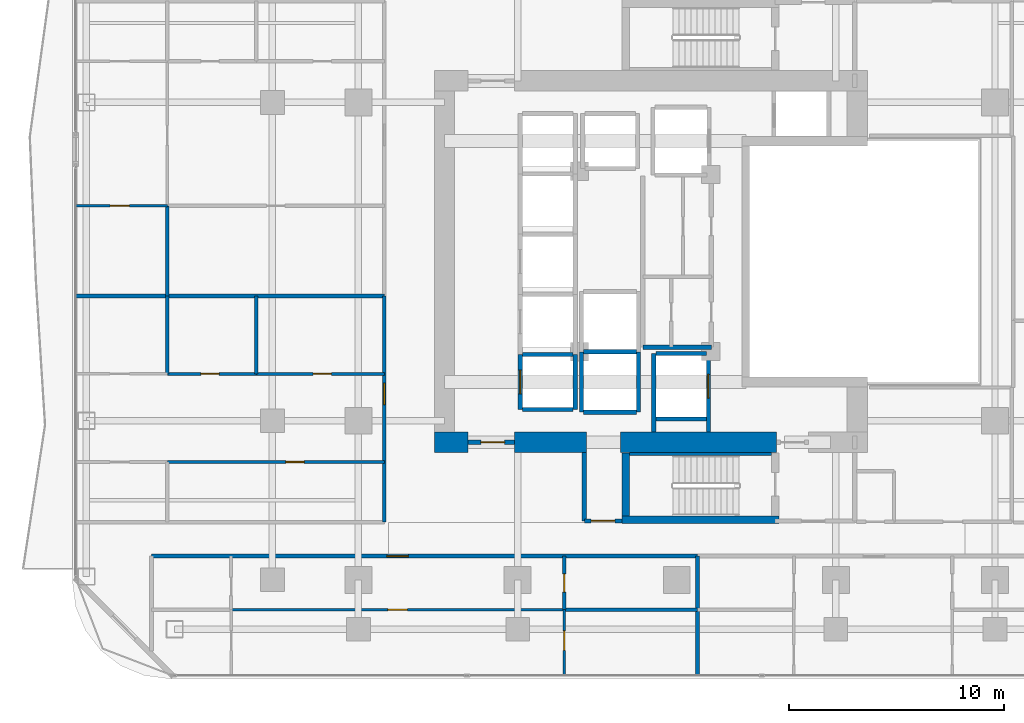
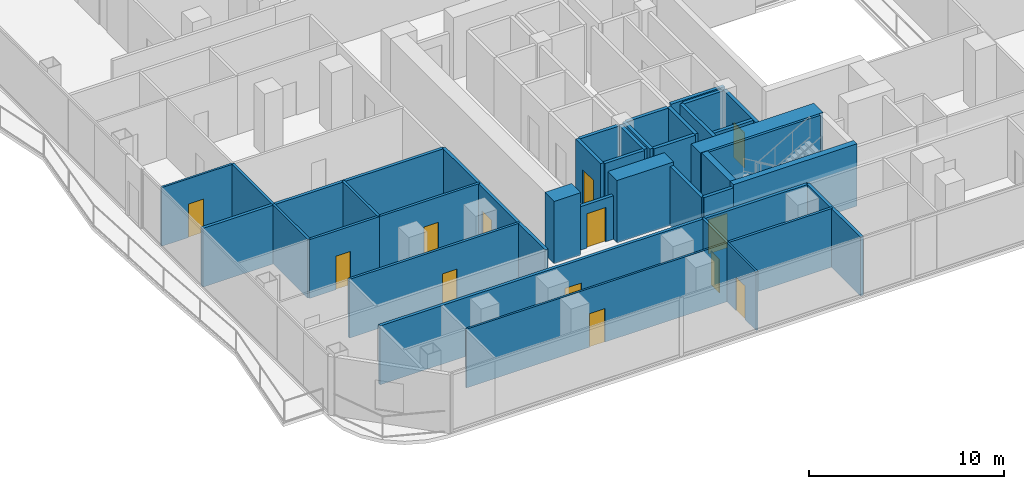
# One storey, part 19 of 28: 37 walls, 13 doors, 13 openings.
"""IFC4 building model written with IfcOpenShell, lengths in metres."""

import ifcopenshell
import ifcopenshell.guid

model = None  # the IFC model being written
_history = None  # IfcOwnerHistory: only IFC2X3 demands one
_inside = {}  # id of a spatial element -> (the spatial element, [elements in it])
_under = {}  # id of a project, library or spatial element -> (it, [spatial elements below it])
_declared = {}  # id of a project -> (the project, [libraries it declares])
_typed = {}  # id of a type object -> (the type object, [elements of that type])
_made_of = {}  # id of a material, layer set ... -> (it, [elements and type objects made of it])


def new_model(schema):
    """Start an empty IFC model of exactly this schema.

    Asked for "IFC4X3", IfcOpenShell would pick the latest addendum, in which some entities
    have other attributes; the version numbers below select the first issue.
    IFC2X3 requires an IfcOwnerHistory on every rooted entity: one is made here for all.
    """
    global model, _history
    if schema == "IFC4X3":
        model = ifcopenshell.file(schema_version=(4, 3, 0, 0))
    else:
        model = ifcopenshell.file(schema=schema)
    _inside.clear()
    _under.clear()
    _declared.clear()
    _typed.clear()
    _made_of.clear()
    _history = None
    if model.schema == "IFC2X3":
        org = make("IfcOrganization", Name="unknown")
        user = make(
            "IfcPersonAndOrganization",
            ThePerson=make("IfcPerson", FamilyName="unknown"),
            TheOrganization=org,
        )
        app = make(
            "IfcApplication",
            ApplicationDeveloper=org,
            Version="unknown",
            ApplicationFullName="unknown",
            ApplicationIdentifier="unknown",
        )
        _history = make(
            "IfcOwnerHistory",
            OwningUser=user,
            OwningApplication=app,
            ChangeAction="ADDED",
            CreationDate=0,
        )
    return model


def make(cls, **values):
    """One entity of the class cls with the attributes given. An attribute that is None is left unset."""
    return model.create_entity(
        cls, **{name: value for name, value in values.items() if value is not None}
    )


def rooted(cls, **values):
    """An entity with a GlobalId (a new one), such as an element, a storey or a relation."""
    return make(cls, GlobalId=ifcopenshell.guid.new(), OwnerHistory=_history, **values)


def si_unit(unit_type, name, prefix=None):
    """IfcSIUnit, for example si_unit("LENGTHUNIT", "METRE", prefix="MILLI")."""
    return make("IfcSIUnit", UnitType=unit_type, Prefix=prefix, Name=name)


def assignment(units):
    """IfcUnitAssignment: the units of a project."""
    return None if units is None else make("IfcUnitAssignment", Units=units)


def point(xyz):
    """IfcCartesianPoint."""
    return None if xyz is None else make("IfcCartesianPoint", Coordinates=xyz)


def direction(xyz):
    """IfcDirection."""
    return None if xyz is None else make("IfcDirection", DirectionRatios=xyz)


def frame(location, z_axis=None, x_axis=None):
    """IfcAxis2Placement3D, a coordinate frame: its origin and axes. An axis left out is left unset."""
    return make(
        "IfcAxis2Placement3D",
        Location=point(location),
        Axis=direction(z_axis),
        RefDirection=direction(x_axis),
    )


def frame_2d(location, x_axis=None):
    """IfcAxis2Placement2D, a coordinate frame in the plane: its origin and x axis."""
    return make(
        "IfcAxis2Placement2D", Location=point(location), RefDirection=direction(x_axis)
    )


def origin():
    """The frame at (0, 0, 0) with its axes left unset."""
    return frame((0.0, 0.0, 0.0))


def place(relative_to, where):
    """IfcLocalPlacement: puts the frame where relative to a parent placement (None: the world)."""
    return make(
        "IfcLocalPlacement", PlacementRelTo=relative_to, RelativePlacement=where
    )


def context(
    kind, dimensions, precision=None, world=None, true_north=None, identifier=None
):
    """IfcGeometricRepresentationContext, for example the 3D "Model" context."""
    return make(
        "IfcGeometricRepresentationContext",
        ContextIdentifier=identifier,
        ContextType=kind,
        CoordinateSpaceDimension=dimensions,
        Precision=precision,
        WorldCoordinateSystem=world,
        TrueNorth=true_north,
    )


def subcontext(parent, identifier, kind, view, scale=None):
    """IfcGeometricRepresentationSubContext, for example "Body" below "Model"."""
    return make(
        "IfcGeometricRepresentationSubContext",
        ContextIdentifier=identifier,
        ContextType=kind,
        ParentContext=parent,
        TargetScale=scale,
        TargetView=view,
    )


def project(units=None, contexts=None):
    """IfcProject with its units and contexts."""
    return rooted(
        "IfcProject",
        Name="project",
        RepresentationContexts=contexts,
        UnitsInContext=assignment(units),
    )


def spatial(cls, under=None, at=None, **own):
    """A site, building, storey or space (cls), placed at a placement, below another one or the project."""
    s = rooted(cls, ObjectPlacement=at, **own)
    if under is not None:
        _under.setdefault(under.id(), (under, []))[1].append(s)
    return s


def profile(cls, at=None, kind="AREA", **sizes):
    """A parametric profile (cls). Its sizes go by their IFC names, for example OverallWidth=200.0."""
    return make(cls, ProfileType=kind, Position=at, **sizes)


def rectangle(**sizes):
    """IfcRectangleProfileDef."""
    return profile("IfcRectangleProfileDef", **sizes)


def extrude(swept, where, along, depth):
    """IfcExtrudedAreaSolid: the profile swept, set in the frame where, extruded along a direction by depth."""
    return make(
        "IfcExtrudedAreaSolid",
        SweptArea=swept,
        Position=where,
        ExtrudedDirection=direction(along),
        Depth=depth,
    )


def shape(context_of_items, identifier, shape_type, items):
    """IfcShapeRepresentation: the items that make up one representation, for example the "Body"."""
    return make(
        "IfcShapeRepresentation",
        ContextOfItems=context_of_items,
        RepresentationIdentifier=identifier,
        RepresentationType=shape_type,
        Items=items,
    )


def material(Name=None, Category=None):
    """IfcMaterial."""
    return make("IfcMaterial", Name=Name, Category=Category)


def layer(
    of_material, thickness, ventilated=None, Name=None, Category=None, Priority=None
):
    """IfcMaterialLayer: one layer of a wall or slab, of a material (None: an air gap)."""
    return make(
        "IfcMaterialLayer",
        Material=of_material,
        LayerThickness=thickness,
        IsVentilated=ventilated,
        Name=Name,
        Category=Category,
        Priority=Priority,
    )


def layer_set(layers, Name=None):
    """IfcMaterialLayerSet."""
    return make("IfcMaterialLayerSet", MaterialLayers=layers, LayerSetName=Name)


def made_of(thing, what):
    """Note that an element or type object is made of a material, layer set ...; save() writes the relation."""
    if what is not None:
        _made_of.setdefault(what.id(), (what, []))[1].append(thing)
    return thing


def type_object(cls, material=None, **own):
    """A type object (cls), such as IfcWallType, which elements share."""
    return made_of(rooted(cls, **own), material)


def element(
    cls,
    number,
    at=None,
    inside=None,
    cuts=None,
    type_object=None,
    material=None,
    context=None,
    identifier="Body",
    shape_type=None,
    held_by="IfcProductDefinitionShape",
    body=None,
    shapes=None,
    **own,
):
    """One element of the class cls, such as IfcWall. Its Tag is "e" and its number.

    at: its placement. inside: the storey or other place that contains it. cuts: it is an
    opening in that element (IfcRelVoidsElement). A single representation is given by context,
    identifier, shape_type and body (its items); several are given by shapes. held_by: the class
    of the entity that holds the representations. save() writes the other relations.
    """
    e = rooted(cls, Tag="e%d" % number, ObjectPlacement=at, **own)
    if body is not None:
        shapes = [shape(context, identifier, shape_type, body)]
    if shapes is not None:
        e.Representation = make(held_by, Representations=shapes)
    if inside is not None:
        _inside.setdefault(inside.id(), (inside, []))[1].append(e)
    if cuts is not None:
        rooted(
            "IfcRelVoidsElement", RelatingBuildingElement=cuts, RelatedOpeningElement=e
        )
    if type_object is not None:
        _typed.setdefault(type_object.id(), (type_object, []))[1].append(e)
    return made_of(e, material)


def fill(opening, filler):
    """IfcRelFillsElement: the door or window that sits in an opening."""
    return rooted(
        "IfcRelFillsElement",
        RelatingOpeningElement=opening,
        RelatedBuildingElement=filler,
    )


def aggregate(whole, parts):
    """IfcRelAggregates: a whole, such as a stair, and the parts it consists of."""
    return rooted("IfcRelAggregates", RelatingObject=whole, RelatedObjects=parts)


def save(model, path):
    """Write the relations noted so far, then the file.

    IfcRelAggregates (storeys below a building ...), IfcRelContainedInSpatialStructure (elements
    in a storey), IfcRelDefinesByType, IfcRelAssociatesMaterial and IfcRelDeclares: one each for
    every whole, place, type object, material and project.
    """
    for whole, parts in _under.values():
        aggregate(whole, parts)
    for where, things in _inside.values():
        rooted(
            "IfcRelContainedInSpatialStructure",
            RelatedElements=things,
            RelatingStructure=where,
        )
    for kind, things in _typed.values():
        rooted("IfcRelDefinesByType", RelatedObjects=things, RelatingType=kind)
    for what, things in _made_of.values():
        rooted("IfcRelAssociatesMaterial", RelatedObjects=things, RelatingMaterial=what)
    for by, libraries in _declared.values():
        rooted("IfcRelDeclares", RelatingContext=by, RelatedDefinitions=libraries)
    model.write(path)


model = new_model("IFC4")

# Units and contexts
model_context = context("Model", 3, precision=1e-05, world=origin(), true_north=direction((0.0, 1.0)))
body_context = subcontext(model_context, "Body", "Model", "MODEL_VIEW")
ifc_project = project(units=[si_unit("LENGTHUNIT", "METRE"), si_unit("AREAUNIT", "SQUARE_METRE"), si_unit("VOLUMEUNIT", "CUBIC_METRE"), si_unit("PLANEANGLEUNIT", "RADIAN"), si_unit("MASSUNIT", "GRAM", prefix="KILO")], contexts=[model_context])

# Site, building, storey
site_placement = place(None, origin())
site = spatial("IfcSite", under=ifc_project, at=site_placement, CompositionType="ELEMENT")
building_placement = place(site_placement, origin())
building = spatial("IfcBuilding", under=site, at=building_placement, Name="Khorvyn Point Tower", CompositionType="ELEMENT")
storey_placement = place(building_placement, frame((0.0, 0.0, 100.800048828125)))
storey = spatial("IfcBuildingStorey", under=building, at=storey_placement, Name="L25", CompositionType="ELEMENT", Elevation=100.800048828125)

# Wall, opening, door
ifc_material_1 = material(Name="Double acoustic gypsum on twin steel stud", Category="steel")
ifc_layer_1 = layer(ifc_material_1, 0.179931640625)
ifc_layer_set_1 = layer_set([ifc_layer_1], Name="Acoustic Double-Stud Apartment Demising Wall 180")
wall_type_1 = type_object("IfcWallType", Name="Acoustic Double-Stud Apartment Demising Wall 180", PredefinedType="PARTITIONING", material=ifc_layer_set_1)
wall_1_placement = place(storey_placement, frame((-24.419921875, -13.699951171875, 0.0), z_axis=(0.0, 0.0, 1.0), x_axis=(1.0, 0.0, 0.0)))
wall_1 = element("IfcWall", 1, at=wall_1_placement, inside=storey, type_object=wall_type_1, Name="Wall", PredefinedType="PARTITIONING", context=body_context, shape_type="SweptSolid", body=[
    extrude(rectangle(XDim=25.39404296875, YDim=0.179931640625, at=frame_2d((12.697021484375, 0.0))), origin(), (0.0, 0.0, 1.0), 3.679931640625),
])
opening_1_placement = place(wall_1_placement, frame((10.939453125, 0.0, 0.0)))
opening_1 = element("IfcOpeningElement", 2, at=opening_1_placement, cuts=wall_1, Name="Opening ID-AP60", PredefinedType="OPENING", context=body_context, shape_type="SweptSolid", body=[
    extrude(rectangle(XDim=1.0, YDim=2.199951171875, at=frame_2d((0.5, 1.10009765625))), frame((0.0, 0.099853515625, 0.0), z_axis=(0.0, -1.0, 0.0), x_axis=(1.0, 0.0, 0.0)), (0.0, 0.0, 1.0), 0.199951171875),
])
ifc_material_2 = material(Name="Engineered hardwood fire-rated leaf", Category="wood")
door_type_1 = type_object("IfcDoorType", Name="Acoustic Solid-Core Timber Apartment Entrance Door 1000x2200", OperationType="NOTDEFINED", PredefinedType="DOOR", material=ifc_material_2)
door_1_placement = place(opening_1_placement, origin())
door_1 = element("IfcDoor", 3, at=door_1_placement, inside=storey, type_object=door_type_1, Name="Door", OperationType="SINGLE_SWING_RIGHT", OverallHeight=2.199951171875, OverallWidth=1.0, PredefinedType="DOOR", context=body_context, shape_type="SweptSolid", body=[
    extrude(rectangle(XDim=1.0, YDim=2.199951171875, at=frame_2d((0.5, 1.10009765625))), frame((0.0, 0.02490234375, 0.0), z_axis=(0.0, -1.0, 0.0), x_axis=(1.0, 0.0, 0.0)), (0.0, 0.0, 1.0), 0.050048828125),
])
fill(opening_1, door_1)

wall_2_placement = place(storey_placement, frame((-13.60009765625, -12.1201171875, 0.0), z_axis=(0.0, 0.0, 1.0), x_axis=(0.0, 1.0, 0.0)))
wall_2 = element("IfcWall", 4, at=wall_2_placement, inside=storey, type_object=wall_type_1, Name="Wall", PredefinedType="PARTITIONING", context=body_context, shape_type="SweptSolid", body=[
    extrude(rectangle(XDim=10.52001953125, YDim=0.179931640625, at=frame_2d((5.260009765625, 0.0))), origin(), (0.0, 0.0, 1.0), 3.679931640625),
])
opening_2_placement = place(wall_2_placement, frame((5.4677734375, 0.0, 0.0)))
opening_2 = element("IfcOpeningElement", 5, at=opening_2_placement, cuts=wall_2, Name="Opening ID-AP60", PredefinedType="OPENING", context=body_context, shape_type="SweptSolid", body=[
    extrude(rectangle(XDim=1.0, YDim=2.199951171875, at=frame_2d((0.5, 1.10009765625))), frame((0.0, 0.099853515625, 0.0), z_axis=(0.0, -1.0, 0.0), x_axis=(1.0, 0.0, 0.0)), (0.0, 0.0, 1.0), 0.199951171875),
])
door_2_placement = place(opening_2_placement, origin())
door_2 = element("IfcDoor", 6, at=door_2_placement, inside=storey, type_object=door_type_1, Name="Door", OperationType="SINGLE_SWING_LEFT", OverallHeight=2.199951171875, OverallWidth=1.0, PredefinedType="DOOR", context=body_context, shape_type="SweptSolid", body=[
    extrude(rectangle(XDim=1.0, YDim=2.199951171875, at=frame_2d((0.5, 1.10009765625))), frame((0.0, 0.02490234375, 0.0), z_axis=(0.0, -1.0, 0.0), x_axis=(1.0, 0.0, 0.0)), (0.0, 0.0, 1.0), 0.050048828125),
])
fill(opening_2, door_2)

# Walls
wall_3_placement = place(storey_placement, frame((0.97412109375, -19.22998046875, 0.0), z_axis=(0.0, 0.0, 1.0), x_axis=(0.0, 1.0, 0.0)))
element("IfcWall", 7, at=wall_3_placement, inside=storey, type_object=wall_type_1, Name="Wall", PredefinedType="PARTITIONING", context=body_context, shape_type="SweptSolid", body=[
    extrude(rectangle(XDim=5.530029296875, YDim=0.179931640625, at=frame_2d((2.76513671875, 0.0))), origin(), (0.0, 0.0, 1.0), 3.679931640625),
])
wall_4_placement = place(storey_placement, frame((-27.929931640625, -1.60009765625, 0.0), z_axis=(0.0, 0.0, 1.0), x_axis=(1.0, 0.0, 0.0)))
element("IfcWall", 8, at=wall_4_placement, inside=storey, type_object=wall_type_1, Name="Wall", PredefinedType="PARTITIONING", context=body_context, shape_type="SweptSolid", body=[
    extrude(rectangle(XDim=14.329833984375, YDim=0.179931640625, at=frame_2d((7.1650390625, 0.0))), origin(), (0.0, 0.0, 1.0), 3.679931640625),
])

# Wall, opening, door
ifc_material_3 = material(Name="Concrete C40/50", Category="concrete")
ifc_layer_2 = layer(ifc_material_3, 0.199951171875)
ifc_layer_set_2 = layer_set([ifc_layer_2], Name="Concrete C40/50 Fire-Lobby Compartment Wall 200")
wall_type_2 = type_object("IfcWallType", Name="Concrete C40/50 Fire-Lobby Compartment Wall 200", PredefinedType="SOLIDWALL", material=ifc_layer_set_2)
wall_5_placement = place(storey_placement, frame((-9.699951171875, -8.39990234375, 0.0), z_axis=(0.0, 0.0, 1.0), x_axis=(1.0, 0.0, 0.0)))
wall_5 = element("IfcWall", 9, at=wall_5_placement, inside=storey, type_object=wall_type_2, Name="Wall", PredefinedType="SOLIDWALL", context=body_context, shape_type="SweptSolid", body=[
    extrude(rectangle(XDim=2.14990234375, YDim=0.199951171875, at=frame_2d((1.074951171875, 0.0))), origin(), (0.0, 0.0, 1.0), 2.719970703125),
])
opening_3_placement = place(wall_5_placement, frame((0.597900390625, 0.0, 0.0)))
opening_3 = element("IfcOpeningElement", 10, at=opening_3_placement, cuts=wall_5, Name="Opening ID-FL90", PredefinedType="OPENING", context=body_context, shape_type="SweptSolid", body=[
    extrude(rectangle(XDim=1.10009765625, YDim=2.14990234375, at=frame_2d((0.550048828125, 1.074951171875))), frame((0.0, 0.10986328125, 0.0), z_axis=(0.0, -1.0, 0.0), x_axis=(1.0, 0.0, 0.0)), (0.0, 0.0, 1.0), 0.219970703125),
])
ifc_material_4 = material(Name="Galvanised powder-coated steel", Category="steel")
door_type_2 = type_object("IfcDoorType", Name="Fire-Rated Steel Lobby and Stair Door 1100x2150", OperationType="NOTDEFINED", PredefinedType="DOOR", material=ifc_material_4)
door_3_placement = place(opening_3_placement, origin())
door_3 = element("IfcDoor", 11, at=door_3_placement, inside=storey, type_object=door_type_2, Name="Door", OperationType="SINGLE_SWING_RIGHT", OverallHeight=2.14990234375, OverallWidth=1.10009765625, PredefinedType="DOOR", context=body_context, shape_type="SweptSolid", body=[
    extrude(rectangle(XDim=1.10009765625, YDim=2.14990234375, at=frame_2d((0.550048828125, 1.074951171875))), frame((0.0, 0.02490234375, 0.0), z_axis=(0.0, -1.0, 0.0), x_axis=(1.0, 0.0, 0.0)), (0.0, 0.0, 1.0), 0.050048828125),
])
fill(opening_3, door_3)

wall_6_placement = place(storey_placement, frame((-4.300048828125, -12.06005859375, 0.0), z_axis=(0.0, 0.0, 1.0), x_axis=(1.0, 0.0, 0.0)))
wall_6 = element("IfcWall", 12, at=wall_6_placement, inside=storey, type_object=wall_type_2, Name="Wall", PredefinedType="SOLIDWALL", context=body_context, shape_type="SweptSolid", body=[
    extrude(rectangle(XDim=1.75, YDim=0.199951171875, at=frame_2d((0.875, 0.0))), origin(), (0.0, 0.0, 1.0), 3.679931640625),
])
opening_4_placement = place(wall_6_placement, frame((0.324951171875, 0.0, 0.0)))
opening_4 = element("IfcOpeningElement", 13, at=opening_4_placement, cuts=wall_6, Name="Opening ID-FL90", PredefinedType="OPENING", context=body_context, shape_type="SweptSolid", body=[
    extrude(rectangle(XDim=1.10009765625, YDim=2.14990234375, at=frame_2d((0.550048828125, 1.074951171875))), frame((0.0, 0.10986328125, 0.0), z_axis=(0.0, -1.0, 0.0), x_axis=(1.0, 0.0, 0.0)), (0.0, 0.0, 1.0), 0.219970703125),
])
door_4_placement = place(opening_4_placement, origin())
door_4 = element("IfcDoor", 14, at=door_4_placement, inside=storey, type_object=door_type_2, Name="Door", OperationType="SINGLE_SWING_RIGHT", OverallHeight=2.14990234375, OverallWidth=1.10009765625, PredefinedType="DOOR", context=body_context, shape_type="SweptSolid", body=[
    extrude(rectangle(XDim=1.10009765625, YDim=2.14990234375, at=frame_2d((0.550048828125, 1.074951171875))), frame((0.0, 0.02490234375, 0.0), z_axis=(0.0, -1.0, 0.0), x_axis=(1.0, 0.0, 0.0)), (0.0, 0.0, 1.0), 0.050048828125),
])
fill(opening_4, door_4)

# Walls
wall_7_placement = place(storey_placement, frame((-4.300048828125, -12.06005859375, 0.0), z_axis=(0.0, 0.0, 1.0), x_axis=(0.0, 1.0, 0.0)))
element("IfcWall", 15, at=wall_7_placement, inside=storey, type_object=wall_type_2, Name="Wall", PredefinedType="SOLIDWALL", context=body_context, shape_type="SweptSolid", body=[
    extrude(rectangle(XDim=3.18505859375, YDim=0.199951171875, at=frame_2d((1.592529296875, 0.0))), origin(), (0.0, 0.0, 1.0), 3.679931640625),
])
wall_8_placement = place(storey_placement, frame((-1.580078125, -3.97998046875, 0.0), z_axis=(0.0, 0.0, 1.0), x_axis=(1.0, 0.0, 0.0)))
element("IfcWall", 16, at=wall_8_placement, inside=storey, type_object=wall_type_2, Name="Wall", PredefinedType="SOLIDWALL", context=body_context, shape_type="SweptSolid", body=[
    extrude(rectangle(XDim=3.190185546875, YDim=0.199951171875, at=frame_2d((1.59521484375, 0.0))), origin(), (0.0, 0.0, 1.0), 3.679931640625),
])
ifc_layer_3 = layer(ifc_material_3, 0.25)
ifc_layer_set_3 = layer_set([ifc_layer_3], Name="Concrete C40/50 Stair Inner Cheek Structural Wall 250")
wall_type_3 = type_object("IfcWallType", Name="Concrete C40/50 Stair Inner Cheek Structural Wall 250", PredefinedType="SHEAR", material=ifc_layer_set_3)
wall_9_placement = place(storey_placement, frame((-2.199951171875, -8.949951171875, 0.0), z_axis=(0.0, 0.0, 1.0), x_axis=(1.0, 0.0, 0.0)))
element("IfcWall", 17, at=wall_9_placement, inside=storey, type_object=wall_type_3, Name="Wall", PredefinedType="SHEAR", context=body_context, shape_type="SweptSolid", body=[
    extrude(rectangle(XDim=6.599853515625, YDim=0.14990234375, at=frame_2d((3.2998046875, 0.0))), origin(), (0.0, 0.0, 1.0), 3.89990234375),
])
ifc_layer_4 = layer(ifc_material_3, 0.35009765625)
ifc_layer_set_4 = layer_set([ifc_layer_4], Name="Concrete C40/50 Stair Shaft Structural Wall 350")
wall_type_4 = type_object("IfcWallType", Name="Concrete C40/50 Stair Shaft Structural Wall 350", PredefinedType="SHEAR", material=ifc_layer_set_4)
wall_10_placement = place(storey_placement, frame((-2.554931640625, -12.0, 0.0), z_axis=(0.0, 0.0, 1.0), x_axis=(1.0, 0.0, 0.0)))
element("IfcWall", 18, at=wall_10_placement, inside=storey, type_object=wall_type_4, Name="L25 ST-01 South Shaft Wall", PredefinedType="SHEAR", context=body_context, shape_type="SweptSolid", body=[
    extrude(rectangle(XDim=7.309814453125, YDim=0.35009765625, at=frame_2d((3.65478515625, 0.0))), origin(), (0.0, 0.0, 1.0), 3.89990234375),
])
wall_11_placement = place(storey_placement, frame((-2.3798828125, -11.824951171875, 0.0), z_axis=(0.0, 0.0, 1.0), x_axis=(0.0, 1.0, 0.0)))
element("IfcWall", 19, at=wall_11_placement, inside=storey, type_object=wall_type_4, Name="L25 ST-01 West Shaft Wall", PredefinedType="SHEAR", context=body_context, shape_type="SweptSolid", body=[
    extrude(rectangle(XDim=2.925048828125, YDim=0.35009765625, at=frame_2d((1.46240234375, 0.0))), origin(), (0.0, 0.0, 1.0), 3.89990234375),
])

# Wall, opening, door
ifc_layer_5 = layer(ifc_material_3, 0.199951171875)
ifc_layer_set_5 = layer_set([ifc_layer_5], Name="Concrete C40/50 Structural Hoistway and Stair Shaft Wall 200")
wall_type_5 = type_object("IfcWallType", Name="Concrete C40/50 Structural Hoistway and Stair Shaft Wall 200", PredefinedType="SHEAR", material=ifc_layer_set_5)
wall_12_placement = place(storey_placement, frame((-7.27490234375, -6.875, 0.0), z_axis=(0.0, 0.0, 1.0), x_axis=(0.0, 1.0, 0.0)))
wall_12 = element("IfcWall", 20, at=wall_12_placement, inside=storey, type_object=wall_type_5, Name="Wall", PredefinedType="SHEAR", context=body_context, shape_type="SweptSolid", body=[
    extrude(rectangle(XDim=2.550048828125, YDim=0.199951171875, at=frame_2d((1.27490234375, 0.0))), origin(), (0.0, 0.0, 1.0), 3.679931640625),
])
opening_5_placement = place(wall_12_placement, frame((0.72509765625, 0.0, 0.0)))
opening_5 = element("IfcOpeningElement", 21, at=opening_5_placement, cuts=wall_12, Name="Opening LD-1122", PredefinedType="OPENING", context=body_context, shape_type="SweptSolid", body=[
    extrude(rectangle(XDim=1.10009765625, YDim=2.199951171875, at=frame_2d((0.550048828125, 1.10009765625))), frame((0.0, 0.10986328125, 0.0), z_axis=(0.0, -1.0, 0.0), x_axis=(1.0, 0.0, 0.0)), (0.0, 0.0, 1.0), 0.219970703125),
])
ifc_material_5 = material(Name="Stainless steel 1.4301", Category="steel")
door_type_3 = type_object("IfcDoorType", Name="Stainless Steel Automatic Sliding Lift Landing Door 1100x2200", OperationType="SLIDING_TO_LEFT", PredefinedType="DOOR", material=ifc_material_5)
door_5_placement = place(opening_5_placement, origin())
door_5 = element("IfcDoor", 22, at=door_5_placement, inside=storey, type_object=door_type_3, Name="L25 RL-01 Sliding Lift Landing Door", OperationType="SLIDING_TO_LEFT", OverallHeight=2.199951171875, OverallWidth=1.10009765625, PredefinedType="DOOR", context=body_context, shape_type="SweptSolid", body=[
    extrude(rectangle(XDim=1.10009765625, YDim=2.199951171875, at=frame_2d((0.550048828125, 1.10009765625))), frame((0.0, 0.02490234375, 0.0), z_axis=(0.0, -1.0, 0.0), x_axis=(1.0, 0.0, 0.0)), (0.0, 0.0, 1.0), 0.050048828125),
])
fill(opening_5, door_5)

# Walls
wall_13_placement = place(storey_placement, frame((-4.72509765625, -6.875, 0.0), z_axis=(0.0, 0.0, 1.0), x_axis=(0.0, 1.0, 0.0)))
element("IfcWall", 23, at=wall_13_placement, inside=storey, type_object=wall_type_5, Name="Wall", PredefinedType="SHEAR", context=body_context, shape_type="SweptSolid", body=[
    extrude(rectangle(XDim=2.550048828125, YDim=0.199951171875, at=frame_2d((1.27490234375, 0.0))), origin(), (0.0, 0.0, 1.0), 3.679931640625),
])
for number, where, z_axis, x_axis, name in (
    (24, (-7.175048828125, -6.875, 0.0), (0.0, 0.0, 1.0), (1.0, 0.0, 0.0), "Wall"),
    (25, (-7.175048828125, -4.324951171875, 0.0), (0.0, 0.0, 1.0), (1.0, 0.0, 0.0), "Wall"),
):
    element("IfcWall", number, at=place(storey_placement, frame(where, z_axis=z_axis, x_axis=x_axis)), inside=storey, type_object=wall_type_5, Name=name, PredefinedType="SHEAR", context=body_context, shape_type="SweptSolid", body=[
        extrude(rectangle(XDim=2.35009765625, YDim=0.199951171875, at=frame_2d((1.175048828125, 0.0))), origin(), (0.0, 0.0, 1.0), 3.679931640625),
    ])
for number, where, z_axis, x_axis, name in (
    (26, (-4.425048828125, -7.0, 0.0), (0.0, 0.0, 1.0), (0.0, 1.0, 0.0), "Wall"),
    (27, (-1.77490234375, -7.0, 0.0), (0.0, 0.0, 1.0), (0.0, 1.0, 0.0), "Wall"),
):
    element("IfcWall", number, at=place(storey_placement, frame(where, z_axis=z_axis, x_axis=x_axis)), inside=storey, type_object=wall_type_5, Name=name, PredefinedType="SHEAR", context=body_context, shape_type="SweptSolid", body=[
        extrude(rectangle(XDim=2.800048828125, YDim=0.199951171875, at=frame_2d((1.39990234375, 0.0))), origin(), (0.0, 0.0, 1.0), 3.679931640625),
    ])
for number, where, z_axis, x_axis, name in (
    (28, (-4.324951171875, -7.0, 0.0), (0.0, 0.0, 1.0), (1.0, 0.0, 0.0), "Wall"),
    (29, (-4.324951171875, -4.199951171875, 0.0), (0.0, 0.0, 1.0), (1.0, 0.0, 0.0), "Wall"),
):
    element("IfcWall", number, at=place(storey_placement, frame(where, z_axis=z_axis, x_axis=x_axis)), inside=storey, type_object=wall_type_5, Name=name, PredefinedType="SHEAR", context=body_context, shape_type="SweptSolid", body=[
        extrude(rectangle(XDim=2.449951171875, YDim=0.199951171875, at=frame_2d((1.22509765625, 0.0))), origin(), (0.0, 0.0, 1.0), 3.679931640625),
    ])
wall_14_placement = place(storey_placement, frame((-1.074951171875, -7.925048828125, 0.0), z_axis=(0.0, 0.0, 1.0), x_axis=(0.0, 1.0, 0.0)))
element("IfcWall", 30, at=wall_14_placement, inside=storey, type_object=wall_type_5, Name="Wall", PredefinedType="SHEAR", context=body_context, shape_type="SweptSolid", body=[
    extrude(rectangle(XDim=3.650146484375, YDim=0.199951171875, at=frame_2d((1.8251953125, 0.0))), origin(), (0.0, 0.0, 1.0), 3.679931640625),
])

# Wall, opening, door
wall_15_placement = place(storey_placement, frame((1.47509765625, -7.925048828125, 0.0), z_axis=(0.0, 0.0, 1.0), x_axis=(0.0, 1.0, 0.0)))
wall_15 = element("IfcWall", 31, at=wall_15_placement, inside=storey, type_object=wall_type_5, Name="Wall", PredefinedType="SHEAR", context=body_context, shape_type="SweptSolid", body=[
    extrude(rectangle(XDim=3.650146484375, YDim=0.199951171875, at=frame_2d((1.8251953125, 0.0))), origin(), (0.0, 0.0, 1.0), 3.679931640625),
])
opening_6_placement = place(wall_15_placement, frame((1.574951171875, 0.0, 0.0)))
opening_6 = element("IfcOpeningElement", 32, at=opening_6_placement, cuts=wall_15, Name="Opening LD-1122", PredefinedType="OPENING", context=body_context, shape_type="SweptSolid", body=[
    extrude(rectangle(XDim=1.10009765625, YDim=2.199951171875, at=frame_2d((0.550048828125, 1.10009765625))), frame((0.0, 0.10986328125, 0.0), z_axis=(0.0, -1.0, 0.0), x_axis=(1.0, 0.0, 0.0)), (0.0, 0.0, 1.0), 0.219970703125),
])
door_6_placement = place(opening_6_placement, origin())
door_6 = element("IfcDoor", 33, at=door_6_placement, inside=storey, type_object=door_type_3, Name="L25 FF-01 Sliding Lift Landing Door", OperationType="SLIDING_TO_LEFT", OverallHeight=2.199951171875, OverallWidth=1.10009765625, PredefinedType="DOOR", context=body_context, shape_type="SweptSolid", body=[
    extrude(rectangle(XDim=1.10009765625, YDim=2.199951171875, at=frame_2d((0.550048828125, 1.10009765625))), frame((0.0, 0.02490234375, 0.0), z_axis=(0.0, -1.0, 0.0), x_axis=(1.0, 0.0, 0.0)), (0.0, 0.0, 1.0), 0.050048828125),
])
fill(opening_6, door_6)

# Walls
for number, where, z_axis, x_axis, name in (
    (34, (-0.97509765625, -7.324951171875, 0.0), (0.0, 0.0, 1.0), (1.0, 0.0, 0.0), "Wall"),
    (35, (-0.97509765625, -4.27490234375, 0.0), (0.0, 0.0, 1.0), (1.0, 0.0, 0.0), "Wall"),
):
    element("IfcWall", number, at=place(storey_placement, frame(where, z_axis=z_axis, x_axis=x_axis)), inside=storey, type_object=wall_type_5, Name=name, PredefinedType="SHEAR", context=body_context, shape_type="SweptSolid", body=[
        extrude(rectangle(XDim=2.35009765625, YDim=0.199951171875, at=frame_2d((1.175048828125, 0.0))), origin(), (0.0, 0.0, 1.0), 3.679931640625),
    ])
ifc_material_6 = material(Name="Concrete C50/60", Category="concrete")
ifc_layer_6 = layer(ifc_material_6, 0.949951171875)
ifc_layer_set_6 = layer_set([ifc_layer_6], Name="Concrete C50/60 Core Shear Wall 950")
wall_type_6 = type_object("IfcWallType", Name="Concrete C50/60 Core Shear Wall 950", PredefinedType="SHEAR", material=ifc_layer_set_6)
wall_16_placement = place(storey_placement, frame((-11.27490234375, -8.39990234375, 0.0), z_axis=(0.0, 0.0, 1.0), x_axis=(1.0, 0.0, 0.0)))
element("IfcWall", 36, at=wall_16_placement, inside=storey, type_object=wall_type_6, Name="Wall", PredefinedType="SHEAR", context=body_context, shape_type="SweptSolid", body=[
    extrude(rectangle(XDim=1.574951171875, YDim=0.949951171875, at=frame_2d((0.78759765625, 0.0))), origin(), (0.0, 0.0, 1.0), 3.89990234375),
])
wall_17_placement = place(storey_placement, frame((-7.550048828125, -8.39990234375, 0.0), z_axis=(0.0, 0.0, 1.0), x_axis=(1.0, 0.0, 0.0)))
element("IfcWall", 37, at=wall_17_placement, inside=storey, type_object=wall_type_6, Name="Wall", PredefinedType="SHEAR", context=body_context, shape_type="SweptSolid", body=[
    extrude(rectangle(XDim=3.35009765625, YDim=0.949951171875, at=frame_2d((1.675048828125, 0.0))), origin(), (0.0, 0.0, 1.0), 3.89990234375),
])
wall_18_placement = place(storey_placement, frame((-2.6201171875, -8.39990234375, 0.0), z_axis=(0.0, 0.0, 1.0), x_axis=(1.0, 0.0, 0.0)))
element("IfcWall", 38, at=wall_18_placement, inside=storey, type_object=wall_type_6, Name="Wall", PredefinedType="SHEAR", context=body_context, shape_type="SweptSolid", body=[
    extrude(rectangle(XDim=7.27001953125, YDim=0.949951171875, at=frame_2d((3.635009765625, 0.0))), origin(), (0.0, 0.0, 1.0), 3.89990234375),
])

# Wall, opening, door
ifc_material_7 = material(Name="Gypsum plasterboard on steel stud", Category="steel")
ifc_layer_7 = layer(ifc_material_7, 0.1201171875)
ifc_layer_set_7 = layer_set([ifc_layer_7], Name="Gypsum Acoustic Stud Room Partition Wall 120")
wall_type_7 = type_object("IfcWallType", Name="Gypsum Acoustic Stud Room Partition Wall 120", PredefinedType="PARTITIONING", material=ifc_layer_set_7)
wall_19_placement = place(storey_placement, frame((-20.72509765625, -16.18994140625, 0.0), z_axis=(0.0, 0.0, 1.0), x_axis=(1.0, 0.0, 0.0)))
wall_19 = element("IfcWall", 39, at=wall_19_placement, inside=storey, type_object=wall_type_7, Name="Wall", PredefinedType="PARTITIONING", context=body_context, shape_type="SweptSolid", body=[
    extrude(rectangle(XDim=15.4931640625, YDim=0.1201171875, at=frame_2d((7.74658203125, 0.0))), origin(), (0.0, 0.0, 1.0), 3.679931640625),
])
opening_7_placement = place(wall_19_placement, frame((7.29638671875, 0.0, 0.0)))
opening_7 = element("IfcOpeningElement", 40, at=opening_7_placement, cuts=wall_19, Name="Opening ID-RM90", PredefinedType="OPENING", context=body_context, shape_type="SweptSolid", body=[
    extrude(rectangle(XDim=0.89990234375, YDim=2.10009765625, at=frame_2d((0.449951171875, 1.050048828125))), frame((0.0, 0.070068359375, 0.0), z_axis=(0.0, -1.0, 0.0), x_axis=(1.0, 0.0, 0.0)), (0.0, 0.0, 1.0), 0.14013671875),
])
ifc_material_8 = material(Name="Engineered oak veneer timber", Category="wood")
door_type_4 = type_object("IfcDoorType", Name="Flush Engineered Timber Room Door 900x2100", OperationType="NOTDEFINED", PredefinedType="DOOR", material=ifc_material_8)
door_7_placement = place(opening_7_placement, origin())
door_7 = element("IfcDoor", 41, at=door_7_placement, inside=storey, type_object=door_type_4, Name="Door", OperationType="SINGLE_SWING_LEFT", OverallHeight=2.10009765625, OverallWidth=0.89990234375, PredefinedType="DOOR", context=body_context, shape_type="SweptSolid", body=[
    extrude(rectangle(XDim=0.89990234375, YDim=2.10009765625, at=frame_2d((0.449951171875, 1.050048828125))), frame((0.0, 0.02490234375, 0.0), z_axis=(0.0, -1.0, 0.0), x_axis=(1.0, 0.0, 0.0)), (0.0, 0.0, 1.0), 0.050048828125),
])
fill(opening_7, door_7)

wall_20_placement = place(storey_placement, frame((-5.23193359375, -19.22998046875, 0.0), z_axis=(0.0, 0.0, 1.0), x_axis=(0.0, 1.0, 0.0)))
wall_20 = element("IfcWall", 42, at=wall_20_placement, inside=storey, type_object=wall_type_7, Name="Wall", PredefinedType="PARTITIONING", context=body_context, shape_type="SweptSolid", body=[
    extrude(rectangle(XDim=3.0400390625, YDim=0.1201171875, at=frame_2d((1.52001953125, 0.0))), origin(), (0.0, 0.0, 1.0), 3.679931640625),
])
opening_8_placement = place(wall_20_placement, frame((1.152587890625, 0.0, 0.0)))
opening_8 = element("IfcOpeningElement", 43, at=opening_8_placement, cuts=wall_20, Name="Opening ID-RM90", PredefinedType="OPENING", context=body_context, shape_type="SweptSolid", body=[
    extrude(rectangle(XDim=0.89990234375, YDim=2.10009765625, at=frame_2d((0.449951171875, 1.050048828125))), frame((0.0, 0.070068359375, 0.0), z_axis=(0.0, -1.0, 0.0), x_axis=(1.0, 0.0, 0.0)), (0.0, 0.0, 1.0), 0.14013671875),
])
door_8_placement = place(opening_8_placement, origin())
door_8 = element("IfcDoor", 44, at=door_8_placement, inside=storey, type_object=door_type_4, Name="Door", OperationType="SINGLE_SWING_LEFT", OverallHeight=2.10009765625, OverallWidth=0.89990234375, PredefinedType="DOOR", context=body_context, shape_type="SweptSolid", body=[
    extrude(rectangle(XDim=0.89990234375, YDim=2.10009765625, at=frame_2d((0.449951171875, 1.050048828125))), frame((0.0, 0.02490234375, 0.0), z_axis=(0.0, -1.0, 0.0), x_axis=(1.0, 0.0, 0.0)), (0.0, 0.0, 1.0), 0.050048828125),
])
fill(opening_8, door_8)

wall_21_placement = place(storey_placement, frame((-27.929931640625, 2.591064453125, 0.0), z_axis=(0.0, 0.0, 1.0), x_axis=(1.0, 0.0, 0.0)))
wall_21 = element("IfcWall", 45, at=wall_21_placement, inside=storey, type_object=wall_type_7, Name="Wall", PredefinedType="PARTITIONING", context=body_context, shape_type="SweptSolid", body=[
    extrude(rectangle(XDim=4.239990234375, YDim=0.1201171875, at=frame_2d((2.1201171875, 0.0))), origin(), (0.0, 0.0, 1.0), 3.679931640625),
])
opening_9_placement = place(wall_21_placement, frame((1.581298828125, 0.0, 0.0)))
opening_9 = element("IfcOpeningElement", 46, at=opening_9_placement, cuts=wall_21, Name="Opening ID-RM90", PredefinedType="OPENING", context=body_context, shape_type="SweptSolid", body=[
    extrude(rectangle(XDim=0.89990234375, YDim=2.10009765625, at=frame_2d((0.449951171875, 1.050048828125))), frame((0.0, 0.070068359375, 0.0), z_axis=(0.0, -1.0, 0.0), x_axis=(1.0, 0.0, 0.0)), (0.0, 0.0, 1.0), 0.14013671875),
])
door_9_placement = place(opening_9_placement, origin())
door_9 = element("IfcDoor", 47, at=door_9_placement, inside=storey, type_object=door_type_4, Name="Door", OperationType="SINGLE_SWING_RIGHT", OverallHeight=2.10009765625, OverallWidth=0.89990234375, PredefinedType="DOOR", context=body_context, shape_type="SweptSolid", body=[
    extrude(rectangle(XDim=0.89990234375, YDim=2.10009765625, at=frame_2d((0.449951171875, 1.050048828125))), frame((0.0, 0.02490234375, 0.0), z_axis=(0.0, -1.0, 0.0), x_axis=(1.0, 0.0, 0.0)), (0.0, 0.0, 1.0), 0.050048828125),
])
fill(opening_9, door_9)

ifc_material_9 = material(Name="Moisture-resistant gypsum and cement board", Category="gypsum")
ifc_layer_8 = layer(ifc_material_9, 0.14990234375)
ifc_layer_set_8 = layer_set([ifc_layer_8], Name="Moisture-Resistant Wet-Room Partition Wall 150")
wall_type_8 = type_object("IfcWallType", Name="Moisture-Resistant Wet-Room Partition Wall 150", PredefinedType="PARTITIONING", material=ifc_layer_set_8)
wall_22_placement = place(storey_placement, frame((-5.23193359375, -16.18994140625, 0.0), z_axis=(0.0, 0.0, 1.0), x_axis=(0.0, 1.0, 0.0)))
wall_22 = element("IfcWall", 48, at=wall_22_placement, inside=storey, type_object=wall_type_8, Name="Wall", PredefinedType="PARTITIONING", context=body_context, shape_type="SweptSolid", body=[
    extrude(rectangle(XDim=2.489990234375, YDim=0.14990234375, at=frame_2d((1.2451171875, 0.0))), origin(), (0.0, 0.0, 1.0), 3.679931640625),
])
opening_10_placement = place(wall_22_placement, frame((0.820068359375, 0.0, 0.0)))
opening_10 = element("IfcOpeningElement", 49, at=opening_10_placement, cuts=wall_22, Name="Opening ID-WC85", PredefinedType="OPENING", context=body_context, shape_type="SweptSolid", body=[
    extrude(rectangle(XDim=0.85009765625, YDim=2.10009765625, at=frame_2d((0.425048828125, 1.050048828125))), frame((0.0, 0.0849609375, 0.0), z_axis=(0.0, -1.0, 0.0), x_axis=(1.0, 0.0, 0.0)), (0.0, 0.0, 1.0), 0.169921875),
])
ifc_material_10 = material(Name="High-pressure laminate on moisture-resistant core", Category="wood")
door_type_5 = type_object("IfcDoorType", Name="Moisture-Resistant Accessible Washroom Door 850x2100", OperationType="NOTDEFINED", PredefinedType="DOOR", material=ifc_material_10)
door_10_placement = place(opening_10_placement, origin())
door_10 = element("IfcDoor", 50, at=door_10_placement, inside=storey, type_object=door_type_5, Name="Door", OperationType="SINGLE_SWING_RIGHT", OverallHeight=2.10009765625, OverallWidth=0.85009765625, PredefinedType="DOOR", context=body_context, shape_type="SweptSolid", body=[
    extrude(rectangle(XDim=0.85009765625, YDim=2.10009765625, at=frame_2d((0.425048828125, 1.050048828125))), frame((0.0, 0.02490234375, 0.0), z_axis=(0.0, -1.0, 0.0), x_axis=(1.0, 0.0, 0.0)), (0.0, 0.0, 1.0), 0.050048828125),
])
fill(opening_10, door_10)

wall_23_placement = place(storey_placement, frame((-23.68994140625, -5.22412109375, 0.0), z_axis=(0.0, 0.0, 1.0), x_axis=(1.0, 0.0, 0.0)))
wall_23 = element("IfcWall", 51, at=wall_23_placement, inside=storey, type_object=wall_type_8, Name="Wall", PredefinedType="PARTITIONING", context=body_context, shape_type="SweptSolid", body=[
    extrude(rectangle(XDim=4.136962890625, YDim=0.14990234375, at=frame_2d((2.068359375, 0.0))), origin(), (0.0, 0.0, 1.0), 3.679931640625),
])
opening_11_placement = place(wall_23_placement, frame((1.55615234375, 0.0, 0.0)))
opening_11 = element("IfcOpeningElement", 52, at=opening_11_placement, cuts=wall_23, Name="Opening ID-WC85", PredefinedType="OPENING", context=body_context, shape_type="SweptSolid", body=[
    extrude(rectangle(XDim=0.85009765625, YDim=2.10009765625, at=frame_2d((0.425048828125, 1.050048828125))), frame((0.0, 0.0849609375, 0.0), z_axis=(0.0, -1.0, 0.0), x_axis=(1.0, 0.0, 0.0)), (0.0, 0.0, 1.0), 0.169921875),
])
door_11_placement = place(opening_11_placement, origin())
door_11 = element("IfcDoor", 53, at=door_11_placement, inside=storey, type_object=door_type_5, Name="Door", OperationType="SINGLE_SWING_RIGHT", OverallHeight=2.10009765625, OverallWidth=0.85009765625, PredefinedType="DOOR", context=body_context, shape_type="SweptSolid", body=[
    extrude(rectangle(XDim=0.85009765625, YDim=2.10009765625, at=frame_2d((0.425048828125, 1.050048828125))), frame((0.0, 0.02490234375, 0.0), z_axis=(0.0, -1.0, 0.0), x_axis=(1.0, 0.0, 0.0)), (0.0, 0.0, 1.0), 0.050048828125),
])
fill(opening_11, door_11)

wall_24_placement = place(storey_placement, frame((-19.552978515625, -5.22412109375, 0.0), z_axis=(0.0, 0.0, 1.0), x_axis=(1.0, 0.0, 0.0)))
wall_24 = element("IfcWall", 54, at=wall_24_placement, inside=storey, type_object=wall_type_8, Name="Wall", PredefinedType="PARTITIONING", context=body_context, shape_type="SweptSolid", body=[
    extrude(rectangle(XDim=5.952880859375, YDim=0.14990234375, at=frame_2d((2.9765625, 0.0))), origin(), (0.0, 0.0, 1.0), 3.679931640625),
])
opening_12_placement = place(wall_24_placement, frame((2.64013671875, 0.0, 0.0)))
opening_12 = element("IfcOpeningElement", 55, at=opening_12_placement, cuts=wall_24, Name="Opening ID-WC85", PredefinedType="OPENING", context=body_context, shape_type="SweptSolid", body=[
    extrude(rectangle(XDim=0.85009765625, YDim=2.10009765625, at=frame_2d((0.425048828125, 1.050048828125))), frame((0.0, 0.0849609375, 0.0), z_axis=(0.0, -1.0, 0.0), x_axis=(1.0, 0.0, 0.0)), (0.0, 0.0, 1.0), 0.169921875),
])
door_12_placement = place(opening_12_placement, origin())
door_12 = element("IfcDoor", 56, at=door_12_placement, inside=storey, type_object=door_type_5, Name="Door", OperationType="SINGLE_SWING_LEFT", OverallHeight=2.10009765625, OverallWidth=0.85009765625, PredefinedType="DOOR", context=body_context, shape_type="SweptSolid", body=[
    extrude(rectangle(XDim=0.85009765625, YDim=2.10009765625, at=frame_2d((0.425048828125, 1.050048828125))), frame((0.0, 0.02490234375, 0.0), z_axis=(0.0, -1.0, 0.0), x_axis=(1.0, 0.0, 0.0)), (0.0, 0.0, 1.0), 0.050048828125),
])
fill(opening_12, door_12)

wall_25_placement = place(storey_placement, frame((-23.68994140625, -9.320068359375, 0.0), z_axis=(0.0, 0.0, 1.0), x_axis=(1.0, 0.0, 0.0)))
wall_25 = element("IfcWall", 57, at=wall_25_placement, inside=storey, type_object=wall_type_8, Name="Wall", PredefinedType="PARTITIONING", context=body_context, shape_type="SweptSolid", body=[
    extrude(rectangle(XDim=10.08984375, YDim=0.14990234375, at=frame_2d((5.044921875, 0.0))), origin(), (0.0, 0.0, 1.0), 3.679931640625),
])
opening_13_placement = place(wall_25_placement, frame((5.511962890625, 0.0, 0.0)))
opening_13 = element("IfcOpeningElement", 58, at=opening_13_placement, cuts=wall_25, Name="Opening ID-WC85", PredefinedType="OPENING", context=body_context, shape_type="SweptSolid", body=[
    extrude(rectangle(XDim=0.85009765625, YDim=2.10009765625, at=frame_2d((0.425048828125, 1.050048828125))), frame((0.0, 0.0849609375, 0.0), z_axis=(0.0, -1.0, 0.0), x_axis=(1.0, 0.0, 0.0)), (0.0, 0.0, 1.0), 0.169921875),
])
door_13_placement = place(opening_13_placement, origin())
door_13 = element("IfcDoor", 59, at=door_13_placement, inside=storey, type_object=door_type_5, Name="Door", OperationType="SINGLE_SWING_RIGHT", OverallHeight=2.10009765625, OverallWidth=0.85009765625, PredefinedType="DOOR", context=body_context, shape_type="SweptSolid", body=[
    extrude(rectangle(XDim=0.85009765625, YDim=2.10009765625, at=frame_2d((0.425048828125, 1.050048828125))), frame((0.0, 0.02490234375, 0.0), z_axis=(0.0, -1.0, 0.0), x_axis=(1.0, 0.0, 0.0)), (0.0, 0.0, 1.0), 0.050048828125),
])
fill(opening_13, door_13)

# Walls
wall_26_placement = place(storey_placement, frame((-5.23193359375, -16.18994140625, 0.0), z_axis=(0.0, 0.0, 1.0), x_axis=(1.0, 0.0, 0.0)))
element("IfcWall", 60, at=wall_26_placement, inside=storey, type_object=wall_type_8, Name="Wall", PredefinedType="PARTITIONING", context=body_context, shape_type="SweptSolid", body=[
    extrude(rectangle(XDim=6.2060546875, YDim=0.14990234375, at=frame_2d((3.10302734375, 0.0))), origin(), (0.0, 0.0, 1.0), 3.679931640625),
])
for number, where, z_axis, x_axis, name in (
    (61, (-19.552978515625, -5.22412109375, 0.0), (0.0, 0.0, 1.0), (0.0, 1.0, 0.0), "Wall"),
    (62, (-23.68994140625, -5.22412109375, 0.0), (0.0, 0.0, 1.0), (0.0, 1.0, 0.0), "Wall"),
):
    element("IfcWall", number, at=place(storey_placement, frame(where, z_axis=z_axis, x_axis=x_axis)), inside=storey, type_object=wall_type_8, Name=name, PredefinedType="PARTITIONING", context=body_context, shape_type="SweptSolid", body=[
        extrude(rectangle(XDim=3.6240234375, YDim=0.14990234375, at=frame_2d((1.81201171875, 0.0))), origin(), (0.0, 0.0, 1.0), 3.679931640625),
    ])
wall_27_placement = place(storey_placement, frame((-23.68994140625, -1.60009765625, 0.0), z_axis=(0.0, 0.0, 1.0), x_axis=(0.0, 1.0, 0.0)))
element("IfcWall", 63, at=wall_27_placement, inside=storey, type_object=wall_type_8, Name="Wall", PredefinedType="PARTITIONING", context=body_context, shape_type="SweptSolid", body=[
    extrude(rectangle(XDim=4.191162109375, YDim=0.14990234375, at=frame_2d((2.095703125, 0.0))), origin(), (0.0, 0.0, 1.0), 3.679931640625),
])

save(model, "model.ifc")
